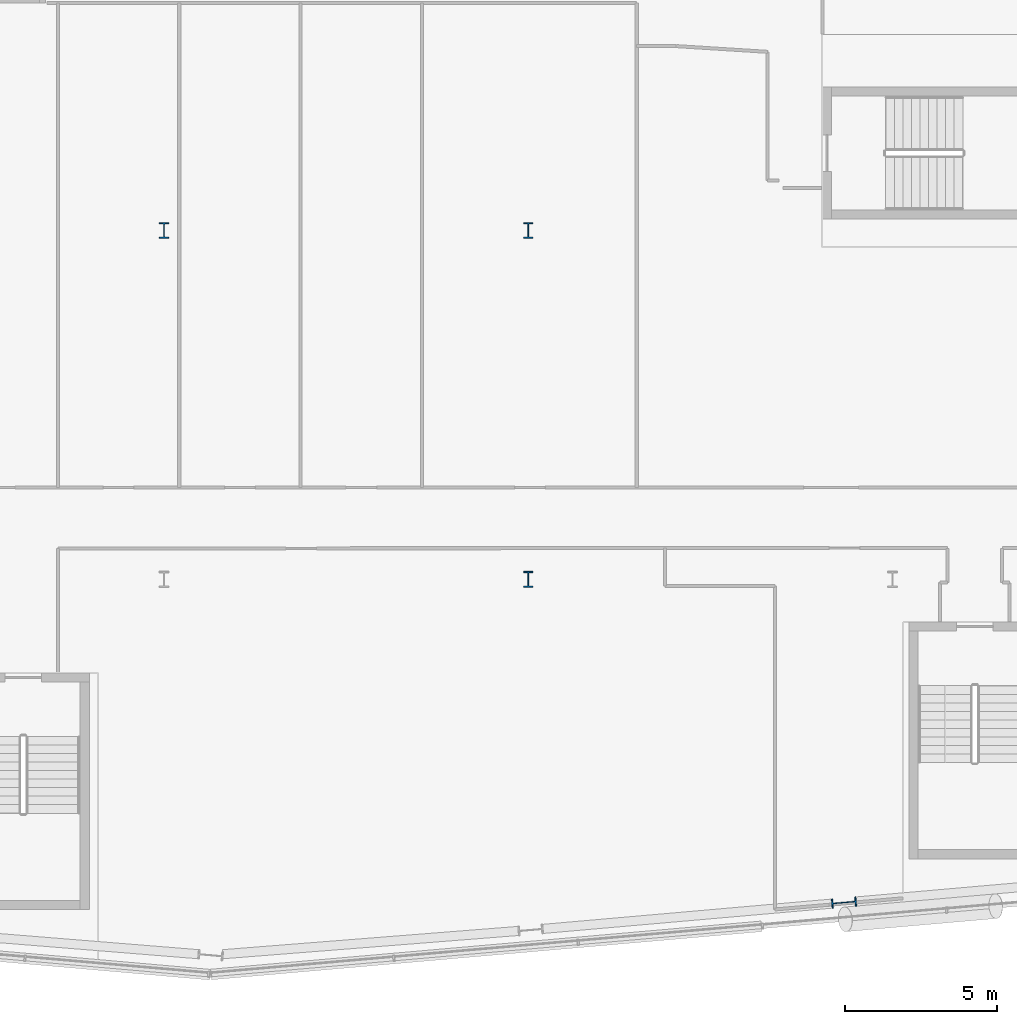
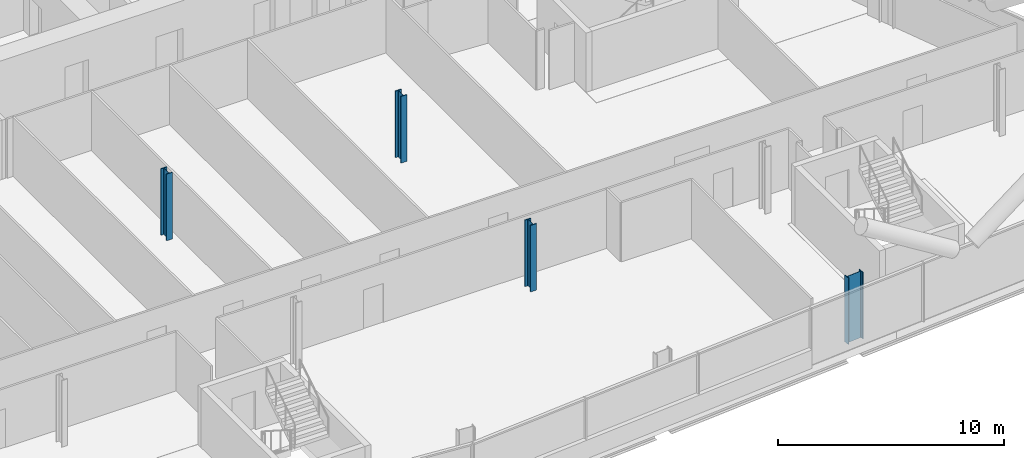
# One storey, part 2 of 27: 4 columns.
"""IFC4 building model written with IfcOpenShell, lengths in metres."""

from ifc_helpers import new_model, si_unit, direction, frame, origin, origin_2d, place, context, subcontext, project, spatial, i_section, extrude, material, material_profile, profile_set, type_object, element, save


model = new_model("IFC4")

# Units and contexts
model_context = context("Model", 3, precision=1e-05, world=origin(), true_north=direction((0.0, 1.0)))
body_context = subcontext(model_context, "Body", "Model", "MODEL_VIEW")
ifc_project = project(units=[si_unit("LENGTHUNIT", "METRE"), si_unit("AREAUNIT", "SQUARE_METRE"), si_unit("VOLUMEUNIT", "CUBIC_METRE"), si_unit("PLANEANGLEUNIT", "RADIAN"), si_unit("MASSUNIT", "GRAM", prefix="KILO")], contexts=[model_context])

# Site, building, storey
site_placement = place(None, origin())
site = spatial("IfcSite", under=ifc_project, at=site_placement, CompositionType="ELEMENT")
building_placement = place(site_placement, origin())
building = spatial("IfcBuilding", under=site, at=building_placement, Name="Wharfspan Tower", CompositionType="ELEMENT")
storey_placement = place(building_placement, frame((0.0, 0.0, 139.899902)))
storey = spatial("IfcBuildingStorey", under=building, at=storey_placement, Name="L33", CompositionType="ELEMENT", Elevation=139.899902)

# Columns
ifc_material = material(Name="Steel S355J2", Category="steel")
ifc_material_profile_1 = material_profile(ifc_material, i_section(OverallWidth=0.305908, OverallDepth=0.523926, WebThickness=0.020996, FlangeThickness=0.040039, FilletRadius=0.0271, at=origin_2d()))
ifc_profile_set_1 = profile_set([ifc_material_profile_1], Name="Steel S355J2")
column_type_1 = type_object("IfcColumnType", Name="Column HEM 500", PredefinedType="COLUMN", material=ifc_profile_set_1)
for number, where, z_axis, x_axis, name in (
    (1, (60.0, 11.5, 0.0), (0.0, 0.0, 1.0), (1.0, 0.0, 0.0), "Interior column I.1.5 L33"),
    (2, (48.0, 23.0, 0.0), (0.0, 0.0, 1.0), (1.0, 0.0, 0.0), "Interior column I.2.3 L33"),
    (3, (60.0, 23.0, 0.0), (0.0, 0.0, 1.0), (1.0, 0.0, 0.0), "Interior column I.2.4 L33"),
):
    element("IfcColumn", number, at=place(storey_placement, frame(where, z_axis=z_axis, x_axis=x_axis)), inside=storey, type_object=column_type_1, Name=name, PredefinedType="COLUMN", context=body_context, shape_type="SweptSolid", body=[
        extrude(i_section(OverallWidth=0.305908, OverallDepth=0.523926, WebThickness=0.020996, FlangeThickness=0.040039, FilletRadius=0.0271, at=origin_2d()), origin(), (0.0, 0.0, 1.0), 3.600098),
    ])
ifc_material_profile_2 = material_profile(ifc_material, i_section(OverallWidth=0.302979, OverallDepth=0.813965, WebThickness=0.020996, FlangeThickness=0.040039, FilletRadius=0.030029, at=origin_2d()))
ifc_profile_set_2 = profile_set([ifc_material_profile_2], Name="Steel S355J2")
column_type_2 = type_object("IfcColumnType", Name="Column HEM 800", PredefinedType="COLUMN", material=ifc_profile_set_2)
column_placement = place(storey_placement, frame((70.404053, 0.852783, 0.0), z_axis=(0.0, 0.0, 1.0), x_axis=(0.087156, -0.996198, 0.0)))
element("IfcColumn", 4, at=column_placement, inside=storey, type_object=column_type_2, Name="Perimeter column PS2.2 L33", PredefinedType="COLUMN", context=body_context, shape_type="SweptSolid", body=[
    extrude(i_section(OverallWidth=0.302979, OverallDepth=0.813965, WebThickness=0.020996, FlangeThickness=0.040039, FilletRadius=0.030029, at=origin_2d()), origin(), (0.0, 0.0, 1.0), 3.600098),
])

save(model, "model.ifc")
